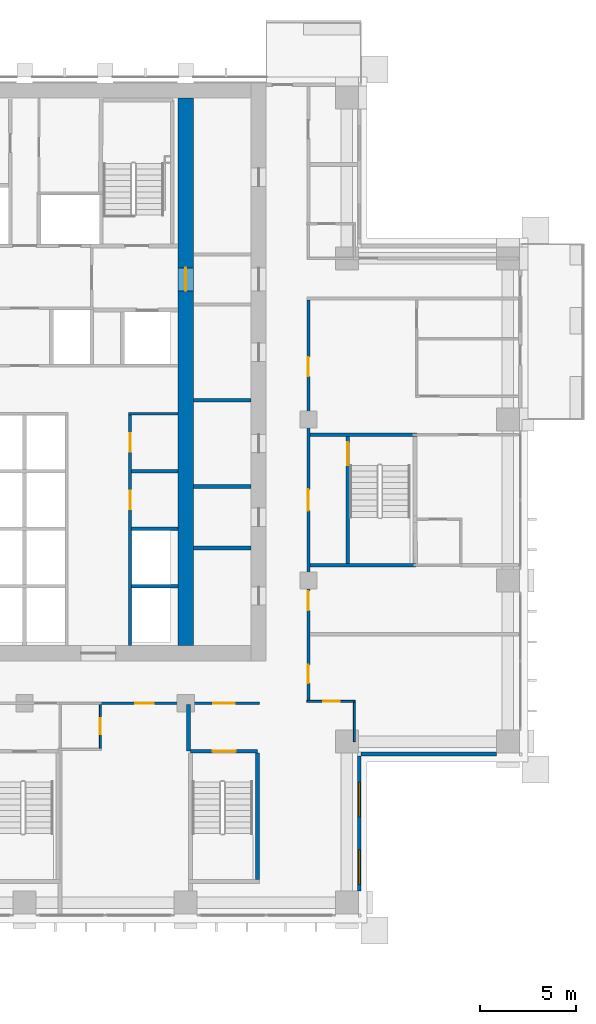
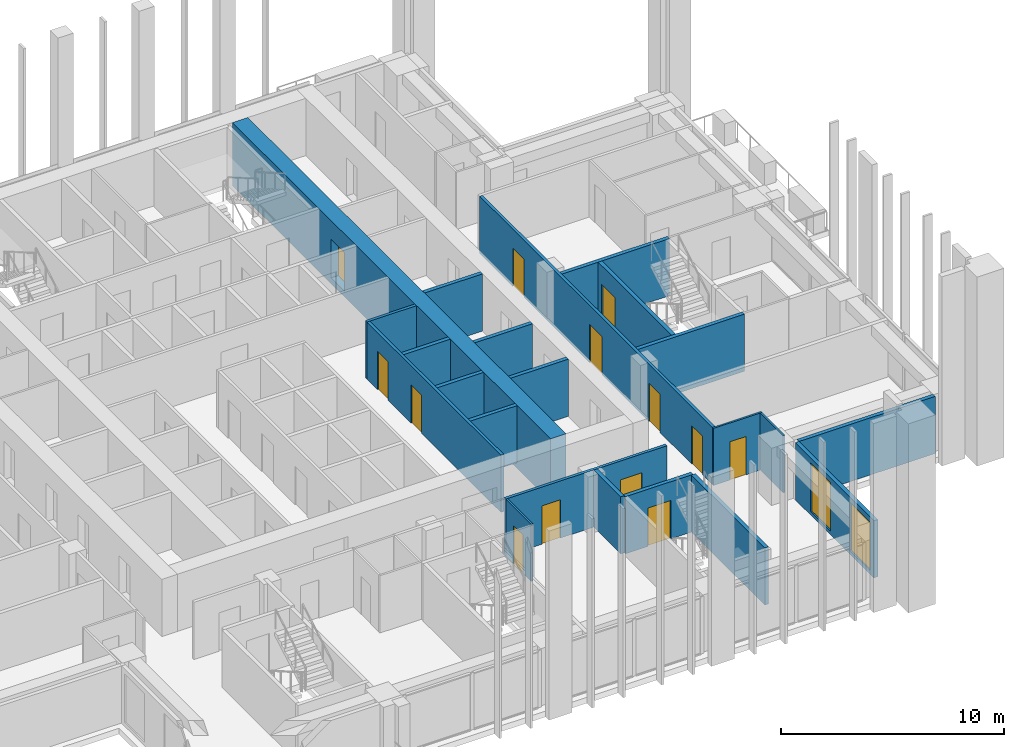
# One storey, part 9 of 18: 22 walls, 13 doors, 2 windows, 15 openings.
"""IFC4 building model written with IfcOpenShell, lengths in metres."""

from ifc_helpers import new_model, si_unit, direction, frame, frame_2d, origin, place, context, subcontext, project, spatial, rectangle, extrude, material, layer, layer_set, type_object, element, fill, save


model = new_model("IFC4")

# Units and contexts
model_context = context("Model", 3, precision=1e-05, world=origin(), true_north=direction((0.0, 1.0)))
body_context = subcontext(model_context, "Body", "Model", "MODEL_VIEW")
ifc_project = project(units=[si_unit("LENGTHUNIT", "METRE"), si_unit("AREAUNIT", "SQUARE_METRE"), si_unit("VOLUMEUNIT", "CUBIC_METRE"), si_unit("PLANEANGLEUNIT", "RADIAN"), si_unit("MASSUNIT", "GRAM", prefix="KILO")], contexts=[model_context])

# Site, building, storey
site_placement = place(None, origin())
site = spatial("IfcSite", under=ifc_project, at=site_placement, CompositionType="ELEMENT")
building_placement = place(site_placement, origin())
building = spatial("IfcBuilding", under=site, at=building_placement, Name="Vermilion Ogive Tower", CompositionType="ELEMENT")
storey_placement = place(building_placement, frame((0.0, 0.0, 80.39990234375)))
storey = spatial("IfcBuildingStorey", under=building, at=storey_placement, Name="L19", CompositionType="ELEMENT", Elevation=80.39990234375)

# Wall, opening, door
ifc_material_1 = material(Name="Concrete B80", Category="concrete")
ifc_layer_1 = layer(ifc_material_1, 0.800048828125)
ifc_layer_set_1 = layer_set([ifc_layer_1], Name="Core wall 800 B80")
wall_type_1 = type_object("IfcWallType", Name="Core wall 800 B80", PredefinedType="SHEAR", material=ifc_layer_set_1)
wall_1_placement = place(storey_placement, frame((8.39990234375, -7.60009765625, -0.31982421875), z_axis=(0.0, 0.0, 1.0), x_axis=(0.0, 1.0, 0.0)))
wall_1 = element("IfcWall", 1, at=wall_1_placement, inside=storey, type_object=wall_type_1, Name="L19-CORE-WEB2", PredefinedType="SHEAR", context=body_context, shape_type="SweptSolid", body=[
    extrude(rectangle(XDim=28.550048828125, YDim=0.800048828125, at=frame_2d((14.27490234375, 0.0))), origin(), (0.0, 0.0, 1.0), 3.449951171875),
])
opening_1_placement = place(wall_1_placement, frame((18.5, 0.0, 0.320068359375)))
opening_1 = element("IfcOpeningElement", 2, at=opening_1_placement, cuts=wall_1, Name="Opening DAO007", PredefinedType="OPENING", context=body_context, shape_type="SweptSolid", body=[
    extrude(rectangle(XDim=1.199951171875, YDim=2.10009765625, at=frame_2d((0.60009765625, 1.050048828125))), frame((0.0, 0.409912109375, 0.0), z_axis=(0.0, -1.0, 0.0), x_axis=(1.0, 0.0, 0.0)), (0.0, 0.0, 1.0), 0.820068359375),
])
ifc_material_2 = material(Name="Timber door leaf", Category="wood")
door_type_1 = type_object("IfcDoorType", Name="Link door 1200 x 2100 FD60S", OperationType="SINGLE_SWING_LEFT", PredefinedType="DOOR", material=ifc_material_2)
door_1_placement = place(opening_1_placement, origin())
door_1 = element("IfcDoor", 3, at=door_1_placement, inside=storey, type_object=door_type_1, Name="L19-CKE-XW", OperationType="SINGLE_SWING_LEFT", OverallHeight=2.10009765625, OverallWidth=1.199951171875, PredefinedType="DOOR", context=body_context, shape_type="SweptSolid", body=[
    extrude(rectangle(XDim=1.199951171875, YDim=2.10009765625, at=frame_2d((0.60009765625, 1.050048828125))), frame((0.0, 0.02490234375, 0.0), z_axis=(0.0, -1.0, 0.0), x_axis=(1.0, 0.0, 0.0)), (0.0, 0.0, 1.0), 0.050048828125),
])
fill(opening_1, door_1)

ifc_material_3 = material(Name="Gypsum board partition on steel studs", Category="steel")
ifc_layer_2 = layer(ifc_material_3, 0.10009765625)
ifc_layer_set_2 = layer_set([ifc_layer_2], Name="Partition 100 bath")
wall_type_2 = type_object("IfcWallType", Name="Partition 100 bath", PredefinedType="PARTITIONING", material=ifc_layer_set_2)
wall_2_placement = place(storey_placement, frame((14.72509765625, -10.5, 0.0), z_axis=(0.0, 0.0, 1.0), x_axis=(1.0, 0.0, 0.0)))
wall_2 = element("IfcWall", 4, at=wall_2_placement, inside=storey, type_object=wall_type_2, Name="L19-W-W012", PredefinedType="PARTITIONING", context=body_context, shape_type="SweptSolid", body=[
    extrude(rectangle(XDim=2.52490234375, YDim=0.10009765625, at=frame_2d((1.262451171875, 0.0))), origin(), (0.0, 0.0, 1.0), 3.130126953125),
])
opening_2_placement = place(wall_2_placement, frame((0.849853515625, 0.0, 0.0)))
opening_2 = element("IfcOpeningElement", 5, at=opening_2_placement, cuts=wall_2, Name="Opening D2G1014", PredefinedType="OPENING", context=body_context, shape_type="SweptSolid", body=[
    extrude(rectangle(XDim=0.85009765625, YDim=2.10009765625, at=frame_2d((0.425048828125, 1.050048828125))), frame((0.0, 0.06005859375, 0.0), z_axis=(0.0, -1.0, 0.0), x_axis=(1.0, 0.0, 0.0)), (0.0, 0.0, 1.0), 0.1201171875),
])
ifc_material_4 = material(Name="Timber door leaf", Category="wood")
door_type_2 = type_object("IfcDoorType", Name="Bath door 850 x 2100 FD30", OperationType="SINGLE_SWING_LEFT", PredefinedType="DOOR", material=ifc_material_4)
door_2_placement = place(opening_2_placement, origin())
door_2 = element("IfcDoor", 6, at=door_2_placement, inside=storey, type_object=door_type_2, Name="L19-D-D014", OperationType="SINGLE_SWING_RIGHT", OverallHeight=2.10009765625, OverallWidth=0.85009765625, PredefinedType="DOOR", context=body_context, shape_type="SweptSolid", body=[
    extrude(rectangle(XDim=0.85009765625, YDim=2.10009765625, at=frame_2d((0.425048828125, 1.050048828125))), frame((0.0, 0.02490234375, 0.0), z_axis=(0.0, -1.0, 0.0), x_axis=(1.0, 0.0, 0.0)), (0.0, 0.0, 1.0), 0.050048828125),
])
fill(opening_2, door_2)

wall_3_placement = place(storey_placement, frame((3.949951171875, -12.949951171875, 0.0), z_axis=(0.0, 0.0, 1.0), x_axis=(0.0, 1.0, 0.0)))
wall_3 = element("IfcWall", 7, at=wall_3_placement, inside=storey, type_object=wall_type_2, Name="L19-W-W055", PredefinedType="PARTITIONING", context=body_context, shape_type="SweptSolid", body=[
    extrude(rectangle(XDim=2.27490234375, YDim=0.10009765625, at=frame_2d((1.137451171875, 0.0))), origin(), (0.0, 0.0, 1.0), 3.130126953125),
])
opening_3_placement = place(wall_3_placement, frame((0.724853515625, 0.0, 0.0)))
opening_3 = element("IfcOpeningElement", 8, at=opening_3_placement, cuts=wall_3, Name="Opening D2G1012", PredefinedType="OPENING", context=body_context, shape_type="SweptSolid", body=[
    extrude(rectangle(XDim=0.85009765625, YDim=2.10009765625, at=frame_2d((0.425048828125, 1.050048828125))), frame((0.0, 0.06005859375, 0.0), z_axis=(0.0, -1.0, 0.0), x_axis=(1.0, 0.0, 0.0)), (0.0, 0.0, 1.0), 0.1201171875),
])
door_3_placement = place(opening_3_placement, origin())
door_3 = element("IfcDoor", 9, at=door_3_placement, inside=storey, type_object=door_type_2, Name="L19-D-D012", OperationType="SINGLE_SWING_LEFT", OverallHeight=2.10009765625, OverallWidth=0.85009765625, PredefinedType="DOOR", context=body_context, shape_type="SweptSolid", body=[
    extrude(rectangle(XDim=0.85009765625, YDim=2.10009765625, at=frame_2d((0.425048828125, 1.050048828125))), frame((0.0, 0.02490234375, 0.0), z_axis=(0.0, -1.0, 0.0), x_axis=(1.0, 0.0, 0.0)), (0.0, 0.0, 1.0), 0.050048828125),
])
fill(opening_3, door_3)

# Wall
wall_4_placement = place(storey_placement, frame((17.199951171875, -12.60009765625, 0.0), z_axis=(0.0, 0.0, 1.0), x_axis=(0.0, 1.0, 0.0)))
element("IfcWall", 10, at=wall_4_placement, inside=storey, type_object=wall_type_2, Name="L19-W-W061", PredefinedType="PARTITIONING", context=body_context, shape_type="SweptSolid", body=[
    extrude(rectangle(XDim=2.050048828125, YDim=0.10009765625, at=frame_2d((1.02490234375, 0.0))), origin(), (0.0, 0.0, 1.0), 3.130126953125),
])

# Wall, openings, doors
ifc_material_5 = material(Name="Gypsum board partition on steel studs", Category="steel")
ifc_layer_3 = layer(ifc_material_5, 0.14990234375)
ifc_layer_set_3 = layer_set([ifc_layer_3], Name="Partition 150 corridor")
wall_type_3 = type_object("IfcWallType", Name="Partition 150 corridor", PredefinedType="PARTITIONING", material=ifc_layer_set_3)
wall_5_placement = place(storey_placement, frame((3.89990234375, -10.60009765625, 0.0), z_axis=(0.0, 0.0, 1.0), x_axis=(1.0, 0.0, 0.0)))
wall_5 = element("IfcWall", 11, at=wall_5_placement, inside=storey, type_object=wall_type_3, Name="L19-W-W011", PredefinedType="PARTITIONING", context=body_context, shape_type="SweptSolid", body=[
    extrude(rectangle(XDim=8.35009765625, YDim=0.14990234375, at=frame_2d((4.175048828125, 0.0))), origin(), (0.0, 0.0, 1.0), 3.130126953125),
])
opening_4_placement = place(wall_5_placement, frame((1.875, 0.0, 0.0)))
opening_4 = element("IfcOpeningElement", 12, at=opening_4_placement, cuts=wall_5, Name="Opening D2G1011", PredefinedType="OPENING", context=body_context, shape_type="SweptSolid", body=[
    extrude(rectangle(XDim=0.949951171875, YDim=2.10009765625, at=frame_2d((0.47509765625, 1.050048828125))), frame((0.0, 0.0849609375, 0.0), z_axis=(0.0, -1.0, 0.0), x_axis=(1.0, 0.0, 0.0)), (0.0, 0.0, 1.0), 0.169921875),
])
opening_5_placement = place(wall_5_placement, frame((5.9501953125, 0.0, 0.0)))
opening_5 = element("IfcOpeningElement", 13, at=opening_5_placement, cuts=wall_5, Name="Opening D2G1027", PredefinedType="OPENING", context=body_context, shape_type="SweptSolid", body=[
    extrude(rectangle(XDim=1.10009765625, YDim=2.10009765625, at=frame_2d((0.550048828125, 1.050048828125))), frame((0.0, 0.0849609375, 0.0), z_axis=(0.0, -1.0, 0.0), x_axis=(1.0, 0.0, 0.0)), (0.0, 0.0, 1.0), 0.169921875),
])
ifc_material_6 = material(Name="Timber door leaf", Category="wood")
door_type_3 = type_object("IfcDoorType", Name="Stair door 1100 x 2100 FD60S", OperationType="SINGLE_SWING_LEFT", PredefinedType="DOOR", material=ifc_material_6)
door_4_placement = place(opening_5_placement, origin())
door_4 = element("IfcDoor", 14, at=door_4_placement, inside=storey, type_object=door_type_3, Name="L19-D-D027", OperationType="SINGLE_SWING_LEFT", OverallHeight=2.10009765625, OverallWidth=1.10009765625, PredefinedType="DOOR", context=body_context, shape_type="SweptSolid", body=[
    extrude(rectangle(XDim=1.10009765625, YDim=2.10009765625, at=frame_2d((0.550048828125, 1.050048828125))), frame((0.0, 0.02490234375, 0.0), z_axis=(0.0, -1.0, 0.0), x_axis=(1.0, 0.0, 0.0)), (0.0, 0.0, 1.0), 0.050048828125),
])
fill(opening_5, door_4)
ifc_material_7 = material(Name="Timber door leaf", Category="wood")
door_type_4 = type_object("IfcDoorType", Name="Unit door 950 x 2100 FD30S", OperationType="SINGLE_SWING_LEFT", PredefinedType="DOOR", material=ifc_material_7)
door_5_placement = place(opening_4_placement, origin())
door_5 = element("IfcDoor", 15, at=door_5_placement, inside=storey, type_object=door_type_4, Name="L19-D-D011", OperationType="SINGLE_SWING_LEFT", OverallHeight=2.10009765625, OverallWidth=0.949951171875, PredefinedType="DOOR", context=body_context, shape_type="SweptSolid", body=[
    extrude(rectangle(XDim=0.949951171875, YDim=2.10009765625, at=frame_2d((0.47509765625, 1.050048828125))), frame((0.0, 0.02490234375, 0.0), z_axis=(0.0, -1.0, 0.0), x_axis=(1.0, 0.0, 0.0)), (0.0, 0.0, 1.0), 0.050048828125),
])
fill(opening_4, door_5)

wall_6_placement = place(storey_placement, frame((14.800048828125, -10.449951171875, 0.0), z_axis=(0.0, 0.0, 1.0), x_axis=(0.0, 1.0, 0.0)))
wall_6 = element("IfcWall", 16, at=wall_6_placement, inside=storey, type_object=wall_type_3, Name="L19-W-W057", PredefinedType="PARTITIONING", context=body_context, shape_type="SweptSolid", body=[
    extrude(rectangle(XDim=20.875, YDim=0.14990234375, at=frame_2d((10.4375, 0.0))), origin(), (0.0, 0.0, 1.0), 3.130126953125),
])
opening_6_placement = place(wall_6_placement, frame((0.89990234375, 0.0, 0.0)))
opening_6 = element("IfcOpeningElement", 17, at=opening_6_placement, cuts=wall_6, Name="Opening D2G1013", PredefinedType="OPENING", context=body_context, shape_type="SweptSolid", body=[
    extrude(rectangle(XDim=0.949951171875, YDim=2.10009765625, at=frame_2d((0.47509765625, 1.050048828125))), frame((0.0, 0.0849609375, 0.0), z_axis=(0.0, -1.0, 0.0), x_axis=(1.0, 0.0, 0.0)), (0.0, 0.0, 1.0), 0.169921875),
])
opening_7_placement = place(wall_6_placement, frame((16.89990234375, 0.0, 0.0)))
opening_7 = element("IfcOpeningElement", 18, at=opening_7_placement, cuts=wall_6, Name="Opening D2G1017", PredefinedType="OPENING", context=body_context, shape_type="SweptSolid", body=[
    extrude(rectangle(XDim=1.0, YDim=2.10009765625, at=frame_2d((0.5, 1.050048828125))), frame((0.0, 0.0849609375, 0.0), z_axis=(0.0, -1.0, 0.0), x_axis=(1.0, 0.0, 0.0)), (0.0, 0.0, 1.0), 0.169921875),
])
opening_8_placement = place(wall_6_placement, frame((9.89990234375, 0.0, 0.0)))
opening_8 = element("IfcOpeningElement", 19, at=opening_8_placement, cuts=wall_6, Name="Opening D2G1029", PredefinedType="OPENING", context=body_context, shape_type="SweptSolid", body=[
    extrude(rectangle(XDim=1.10009765625, YDim=2.10009765625, at=frame_2d((0.550048828125, 1.050048828125))), frame((0.0, 0.0849609375, 0.0), z_axis=(0.0, -1.0, 0.0), x_axis=(1.0, 0.0, 0.0)), (0.0, 0.0, 1.0), 0.169921875),
])
opening_9_placement = place(wall_6_placement, frame((4.699951171875, 0.0, 0.0)))
opening_9 = element("IfcOpeningElement", 20, at=opening_9_placement, cuts=wall_6, Name="Opening D2G1034", PredefinedType="OPENING", context=body_context, shape_type="SweptSolid", body=[
    extrude(rectangle(XDim=1.0, YDim=2.10009765625, at=frame_2d((0.5, 1.050048828125))), frame((0.0, 0.0849609375, 0.0), z_axis=(0.0, -1.0, 0.0), x_axis=(1.0, 0.0, 0.0)), (0.0, 0.0, 1.0), 0.169921875),
])
door_6_placement = place(opening_8_placement, origin())
door_6 = element("IfcDoor", 21, at=door_6_placement, inside=storey, type_object=door_type_3, Name="L19-D-D029", OperationType="SINGLE_SWING_LEFT", OverallHeight=2.10009765625, OverallWidth=1.10009765625, PredefinedType="DOOR", context=body_context, shape_type="SweptSolid", body=[
    extrude(rectangle(XDim=1.10009765625, YDim=2.10009765625, at=frame_2d((0.550048828125, 1.050048828125))), frame((0.0, 0.02490234375, 0.0), z_axis=(0.0, -1.0, 0.0), x_axis=(1.0, 0.0, 0.0)), (0.0, 0.0, 1.0), 0.050048828125),
])
fill(opening_8, door_6)
ifc_material_8 = material(Name="Timber door leaf", Category="wood")
door_type_5 = type_object("IfcDoorType", Name="Unit door 1000 x 2100 FD30S", OperationType="SINGLE_SWING_LEFT", PredefinedType="DOOR", material=ifc_material_8)
door_7_placement = place(opening_7_placement, origin())
door_7 = element("IfcDoor", 22, at=door_7_placement, inside=storey, type_object=door_type_5, Name="L19-D-D017", OperationType="SINGLE_SWING_RIGHT", OverallHeight=2.10009765625, OverallWidth=1.0, PredefinedType="DOOR", context=body_context, shape_type="SweptSolid", body=[
    extrude(rectangle(XDim=1.0, YDim=2.10009765625, at=frame_2d((0.5, 1.050048828125))), frame((0.0, 0.02490234375, 0.0), z_axis=(0.0, -1.0, 0.0), x_axis=(1.0, 0.0, 0.0)), (0.0, 0.0, 1.0), 0.050048828125),
])
fill(opening_7, door_7)
door_8_placement = place(opening_9_placement, origin())
door_8 = element("IfcDoor", 23, at=door_8_placement, inside=storey, type_object=door_type_5, Name="L19-D-D034", OperationType="SINGLE_SWING_RIGHT", OverallHeight=2.10009765625, OverallWidth=1.0, PredefinedType="DOOR", context=body_context, shape_type="SweptSolid", body=[
    extrude(rectangle(XDim=1.0, YDim=2.10009765625, at=frame_2d((0.5, 1.050048828125))), frame((0.0, 0.02490234375, 0.0), z_axis=(0.0, -1.0, 0.0), x_axis=(1.0, 0.0, 0.0)), (0.0, 0.0, 1.0), 0.050048828125),
])
fill(opening_9, door_8)
door_9_placement = place(opening_6_placement, origin())
door_9 = element("IfcDoor", 24, at=door_9_placement, inside=storey, type_object=door_type_4, Name="L19-D-D013", OperationType="SINGLE_SWING_RIGHT", OverallHeight=2.10009765625, OverallWidth=0.949951171875, PredefinedType="DOOR", context=body_context, shape_type="SweptSolid", body=[
    extrude(rectangle(XDim=0.949951171875, YDim=2.10009765625, at=frame_2d((0.47509765625, 1.050048828125))), frame((0.0, 0.02490234375, 0.0), z_axis=(0.0, -1.0, 0.0), x_axis=(1.0, 0.0, 0.0)), (0.0, 0.0, 1.0), 0.050048828125),
])
fill(opening_6, door_9)

# Wall
wall_7_placement = place(storey_placement, frame((5.425048828125, 4.5, 0.0), z_axis=(0.0, 0.0, 1.0), x_axis=(1.0, 0.0, 0.0)))
element("IfcWall", 25, at=wall_7_placement, inside=storey, type_object=wall_type_3, Name="L19-CK-W-W012", PredefinedType="PARTITIONING", context=body_context, shape_type="SweptSolid", body=[
    extrude(rectangle(XDim=2.573974609375, YDim=0.14990234375, at=frame_2d((1.287109375, 0.0))), origin(), (0.0, 0.0, 1.0), 3.130126953125),
])

# Wall, openings, doors
wall_8_placement = place(storey_placement, frame((5.5, -7.59912109375, 0.0), z_axis=(0.0, 0.0, 1.0), x_axis=(0.0, 1.0, 0.0)))
wall_8 = element("IfcWall", 26, at=wall_8_placement, inside=storey, type_object=wall_type_3, Name="L19-CK-W-W040", PredefinedType="PARTITIONING", context=body_context, shape_type="SweptSolid", body=[
    extrude(rectangle(XDim=12.024169921875, YDim=0.14990234375, at=frame_2d((6.01220703125, 0.0))), origin(), (0.0, 0.0, 1.0), 3.130126953125),
])
opening_10_placement = place(wall_8_placement, frame((7.1240234375, 0.0, 0.0)))
opening_10 = element("IfcOpeningElement", 27, at=opening_10_placement, cuts=wall_8, Name="Opening DAA143", PredefinedType="OPENING", context=body_context, shape_type="SweptSolid", body=[
    extrude(rectangle(XDim=0.949951171875, YDim=2.10009765625, at=frame_2d((0.47509765625, 1.050048828125))), frame((0.0, 0.0849609375, 0.0), z_axis=(0.0, -1.0, 0.0), x_axis=(1.0, 0.0, 0.0)), (0.0, 0.0, 1.0), 0.169921875),
])
opening_11_placement = place(wall_8_placement, frame((10.1240234375, 0.0, 0.0)))
opening_11 = element("IfcOpeningElement", 28, at=opening_11_placement, cuts=wall_8, Name="Opening DAA144", PredefinedType="OPENING", context=body_context, shape_type="SweptSolid", body=[
    extrude(rectangle(XDim=0.949951171875, YDim=2.10009765625, at=frame_2d((0.47509765625, 1.050048828125))), frame((0.0, 0.0849609375, 0.0), z_axis=(0.0, -1.0, 0.0), x_axis=(1.0, 0.0, 0.0)), (0.0, 0.0, 1.0), 0.169921875),
])
ifc_material_9 = material(Name="Timber door leaf", Category="wood")
door_type_6 = type_object("IfcDoorType", Name="Service door 950 x 2100 FD60", OperationType="SINGLE_SWING_LEFT", PredefinedType="DOOR", material=ifc_material_9)
door_10_placement = place(opening_10_placement, origin())
door_10 = element("IfcDoor", 29, at=door_10_placement, inside=storey, type_object=door_type_6, Name="L19-CK-D-D009", OperationType="SINGLE_SWING_RIGHT", OverallHeight=2.10009765625, OverallWidth=0.949951171875, PredefinedType="DOOR", context=body_context, shape_type="SweptSolid", body=[
    extrude(rectangle(XDim=0.949951171875, YDim=2.10009765625, at=frame_2d((0.47509765625, 1.050048828125))), frame((0.0, 0.02490234375, 0.0), z_axis=(0.0, -1.0, 0.0), x_axis=(1.0, 0.0, 0.0)), (0.0, 0.0, 1.0), 0.050048828125),
])
fill(opening_10, door_10)
door_11_placement = place(opening_11_placement, origin())
door_11 = element("IfcDoor", 30, at=door_11_placement, inside=storey, type_object=door_type_6, Name="L19-CK-D-D010", OperationType="SINGLE_SWING_RIGHT", OverallHeight=2.10009765625, OverallWidth=0.949951171875, PredefinedType="DOOR", context=body_context, shape_type="SweptSolid", body=[
    extrude(rectangle(XDim=0.949951171875, YDim=2.10009765625, at=frame_2d((0.47509765625, 1.050048828125))), frame((0.0, 0.02490234375, 0.0), z_axis=(0.0, -1.0, 0.0), x_axis=(1.0, 0.0, 0.0)), (0.0, 0.0, 1.0), 0.050048828125),
])
fill(opening_11, door_11)

# Walls
ifc_material_10 = material(Name="Gypsum board partition on steel studs", Category="steel")
ifc_layer_4 = layer(ifc_material_10, 0.199951171875)
ifc_layer_set_4 = layer_set([ifc_layer_4], Name="Partition 200 party")
wall_type_4 = type_object("IfcWallType", Name="Partition 200 party", PredefinedType="PARTITIONING", material=ifc_layer_set_4)
wall_9_placement = place(storey_placement, frame((8.550048828125, -13.10009765625, 0.0), z_axis=(0.0, 0.0, 1.0), x_axis=(0.0, 1.0, 0.0)))
element("IfcWall", 31, at=wall_9_placement, inside=storey, type_object=wall_type_4, Name="L19-W-W056", PredefinedType="PARTITIONING", context=body_context, shape_type="SweptSolid", body=[
    extrude(rectangle(XDim=2.425048828125, YDim=0.199951171875, at=frame_2d((1.21240234375, 0.0))), origin(), (0.0, 0.0, 1.0), 3.130126953125),
])
for number, where, z_axis, x_axis, name in (
    (32, (5.574951171875, -4.5, 0.0), (0.0, 0.0, 1.0), (1.0, 0.0, 0.0), "L19-CK-W-W003"),
    (33, (5.574951171875, -1.5, 0.0), (0.0, 0.0, 1.0), (1.0, 0.0, 0.0), "L19-CK-W-W006"),
    (34, (5.574951171875, 1.5, 0.0), (0.0, 0.0, 1.0), (1.0, 0.0, 0.0), "L19-CK-W-W009"),
):
    element("IfcWall", number, at=place(storey_placement, frame(where, z_axis=z_axis, x_axis=x_axis)), inside=storey, type_object=wall_type_4, Name=name, PredefinedType="PARTITIONING", context=body_context, shape_type="SweptSolid", body=[
        extrude(rectangle(XDim=2.424072265625, YDim=0.199951171875, at=frame_2d((1.2119140625, 0.0))), origin(), (0.0, 0.0, 1.0), 3.130126953125),
    ])
for number, where, z_axis, x_axis, name in (
    (35, (8.801025390625, -2.5, 0.0), (0.0, 0.0, 1.0), (1.0, 0.0, 0.0), "L19-CKE-W-W001"),
    (36, (8.801025390625, 0.699951171875, 0.0), (0.0, 0.0, 1.0), (1.0, 0.0, 0.0), "L19-CKE-W-W002"),
    (37, (8.801025390625, 5.199951171875, 0.0), (0.0, 0.0, 1.0), (1.0, 0.0, 0.0), "L19-CKE-W-W003"),
):
    element("IfcWall", number, at=place(storey_placement, frame(where, z_axis=z_axis, x_axis=x_axis)), inside=storey, type_object=wall_type_4, Name=name, PredefinedType="PARTITIONING", context=body_context, shape_type="SweptSolid", body=[
        extrude(rectangle(XDim=2.998046875, YDim=0.199951171875, at=frame_2d((1.4990234375, 0.0))), origin(), (0.0, 0.0, 1.0), 3.130126953125),
    ])

# Wall, opening, door
ifc_material_11 = material(Name="Concrete B60", Category="concrete")
ifc_layer_5 = layer(ifc_material_11, 0.199951171875)
ifc_layer_set_5 = layer_set([ifc_layer_5], Name="Stair shaft wall 200 Concrete B60")
wall_type_5 = type_object("IfcWallType", Name="Stair shaft wall 200 Concrete B60", PredefinedType="SOLIDWALL", material=ifc_layer_set_5)
wall_10_placement = place(storey_placement, frame((8.64990234375, -13.10009765625, 0.0), z_axis=(0.0, 0.0, 1.0), x_axis=(1.0, 0.0, 0.0)))
wall_10 = element("IfcWall", 38, at=wall_10_placement, inside=storey, type_object=wall_type_5, Name="L19-W-W004", PredefinedType="SOLIDWALL", context=body_context, shape_type="SweptSolid", body=[
    extrude(rectangle(XDim=3.5, YDim=0.199951171875, at=frame_2d((1.75, 0.0))), origin(), (0.0, 0.0, 1.0), 3.130126953125),
])
opening_12_placement = place(wall_10_placement, frame((1.150146484375, 0.0, 0.0)))
opening_12 = element("IfcOpeningElement", 39, at=opening_12_placement, cuts=wall_10, Name="Opening D2G1028", PredefinedType="OPENING", context=body_context, shape_type="SweptSolid", body=[
    extrude(rectangle(XDim=1.199951171875, YDim=2.10009765625, at=frame_2d((0.60009765625, 1.050048828125))), frame((0.0, 0.10986328125, 0.0), z_axis=(0.0, -1.0, 0.0), x_axis=(1.0, 0.0, 0.0)), (0.0, 0.0, 1.0), 0.219970703125),
])
ifc_material_12 = material(Name="Timber door leaf", Category="wood")
door_type_7 = type_object("IfcDoorType", Name="Stair door 1200 x 2100 FD60S", OperationType="SINGLE_SWING_LEFT", PredefinedType="DOOR", material=ifc_material_12)
door_12_placement = place(opening_12_placement, origin())
door_12 = element("IfcDoor", 40, at=door_12_placement, inside=storey, type_object=door_type_7, Name="L19-D-D028", OperationType="SINGLE_SWING_RIGHT", OverallHeight=2.10009765625, OverallWidth=1.199951171875, PredefinedType="DOOR", context=body_context, shape_type="SweptSolid", body=[
    extrude(rectangle(XDim=1.199951171875, YDim=2.10009765625, at=frame_2d((0.60009765625, 1.050048828125))), frame((0.0, 0.02490234375, 0.0), z_axis=(0.0, -1.0, 0.0), x_axis=(1.0, 0.0, 0.0)), (0.0, 0.0, 1.0), 0.050048828125),
])
fill(opening_12, door_12)

# Walls
wall_11_placement = place(storey_placement, frame((14.875, -3.39990234375, 0.0), z_axis=(0.0, 0.0, 1.0), x_axis=(1.0, 0.0, 0.0)))
element("IfcWall", 41, at=wall_11_placement, inside=storey, type_object=wall_type_5, Name="L19-W-W018", PredefinedType="SOLIDWALL", context=body_context, shape_type="SweptSolid", body=[
    extrude(rectangle(XDim=5.52490234375, YDim=0.199951171875, at=frame_2d((2.762451171875, 0.0))), origin(), (0.0, 0.0, 1.0), 3.130126953125),
])
wall_12_placement = place(storey_placement, frame((14.875, 3.39990234375, 0.0), z_axis=(0.0, 0.0, 1.0), x_axis=(1.0, 0.0, 0.0)))
element("IfcWall", 42, at=wall_12_placement, inside=storey, type_object=wall_type_5, Name="L19-W-W025", PredefinedType="SOLIDWALL", context=body_context, shape_type="SweptSolid", body=[
    extrude(rectangle(XDim=5.574951171875, YDim=0.199951171875, at=frame_2d((2.78759765625, 0.0))), origin(), (0.0, 0.0, 1.0), 3.130126953125),
])

# Wall, opening, door
wall_13_placement = place(storey_placement, frame((16.85009765625, -3.300048828125, 0.0), z_axis=(0.0, 0.0, 1.0), x_axis=(0.0, 1.0, 0.0)))
wall_13 = element("IfcWall", 43, at=wall_13_placement, inside=storey, type_object=wall_type_5, Name="L19-W-W060", PredefinedType="SOLIDWALL", context=body_context, shape_type="SweptSolid", body=[
    extrude(rectangle(XDim=6.60009765625, YDim=0.199951171875, at=frame_2d((3.300048828125, 0.0))), origin(), (0.0, 0.0, 1.0), 3.130126953125),
])
opening_13_placement = place(wall_13_placement, frame((5.10009765625, 0.0, 0.0)))
opening_13 = element("IfcOpeningElement", 44, at=opening_13_placement, cuts=wall_13, Name="Opening D2G1030", PredefinedType="OPENING", context=body_context, shape_type="SweptSolid", body=[
    extrude(rectangle(XDim=1.199951171875, YDim=2.10009765625, at=frame_2d((0.60009765625, 1.050048828125))), frame((0.0, 0.10986328125, 0.0), z_axis=(0.0, -1.0, 0.0), x_axis=(1.0, 0.0, 0.0)), (0.0, 0.0, 1.0), 0.219970703125),
])
door_13_placement = place(opening_13_placement, origin())
door_13 = element("IfcDoor", 45, at=door_13_placement, inside=storey, type_object=door_type_7, Name="L19-D-D030", OperationType="SINGLE_SWING_LEFT", OverallHeight=2.10009765625, OverallWidth=1.199951171875, PredefinedType="DOOR", context=body_context, shape_type="SweptSolid", body=[
    extrude(rectangle(XDim=1.199951171875, YDim=2.10009765625, at=frame_2d((0.60009765625, 1.050048828125))), frame((0.0, 0.02490234375, 0.0), z_axis=(0.0, -1.0, 0.0), x_axis=(1.0, 0.0, 0.0)), (0.0, 0.0, 1.0), 0.050048828125),
])
fill(opening_13, door_13)

# Wall
wall_14_placement = place(storey_placement, frame((12.14990234375, -19.800048828125, 0.0), z_axis=(0.0, 0.0, 1.0), x_axis=(0.0, 1.0, 0.0)))
element("IfcWall", 46, at=wall_14_placement, inside=storey, type_object=wall_type_5, Name="L19-SW-ST5-E1", PredefinedType="SOLIDWALL", context=body_context, shape_type="SweptSolid", body=[
    extrude(rectangle(XDim=6.60009765625, YDim=0.199951171875, at=frame_2d((3.300048828125, 0.0))), origin(), (0.0, 0.0, 1.0), 3.130126953125),
])

# Wall, openings, windows
ifc_material_13 = material(Name="Aluminium window wall framing", Category="aluminium")
ifc_layer_6 = layer(ifc_material_13, 0.199951171875)
ifc_layer_set_6 = layer_set([ifc_layer_6], Name="Window wall")
wall_type_6 = type_object("IfcWallType", Name="Window wall", PredefinedType="STANDARD", material=ifc_layer_set_6)
wall_15_placement = place(storey_placement, frame((17.449951171875, -20.39990234375, 0.0), z_axis=(0.0, 0.0, 1.0), x_axis=(0.0, 1.0, 0.0)))
wall_15 = element("IfcWall", 47, at=wall_15_placement, inside=storey, type_object=wall_type_6, Name="Window wall X11", PredefinedType="STANDARD", context=body_context, shape_type="SweptSolid", body=[
    extrude(rectangle(XDim=7.0498046875, YDim=0.199951171875, at=frame_2d((3.52490234375, 0.0))), origin(), (0.0, 0.0, 1.0), 3.130126953125),
])
opening_14_placement = place(wall_15_placement, frame((0.35009765625, 0.0, 0.199951171875)))
opening_14 = element("IfcOpeningElement", 48, at=opening_14_placement, cuts=wall_15, Name="Opening W1-X195", PredefinedType="OPENING", context=body_context, shape_type="SweptSolid", body=[
    extrude(rectangle(XDim=1.800048828125, YDim=2.64990234375, at=frame_2d((0.89990234375, 1.324951171875))), frame((0.0, 0.10986328125, 0.0), z_axis=(0.0, -1.0, 0.0), x_axis=(1.0, 0.0, 0.0)), (0.0, 0.0, 1.0), 0.219970703125),
])
opening_15_placement = place(wall_15_placement, frame((3.875, 0.0, 0.199951171875)))
opening_15 = element("IfcOpeningElement", 49, at=opening_15_placement, cuts=wall_15, Name="Opening W1-X196", PredefinedType="OPENING", context=body_context, shape_type="SweptSolid", body=[
    extrude(rectangle(XDim=1.800048828125, YDim=2.64990234375, at=frame_2d((0.89990234375, 1.324951171875))), frame((0.0, 0.10986328125, 0.0), z_axis=(0.0, -1.0, 0.0), x_axis=(1.0, 0.0, 0.0)), (0.0, 0.0, 1.0), 0.219970703125),
])
ifc_material_14 = material(Name="Aluminium framed double glazing", Category="aluminium")
window_type = type_object("IfcWindowType", Name="Guest window W1", PartitioningType="SINGLE_PANEL", PredefinedType="WINDOW", material=ifc_material_14)
window_1_placement = place(opening_14_placement, origin())
window_1 = element("IfcWindow", 50, at=window_1_placement, inside=storey, type_object=window_type, Name="Window X195", OverallHeight=2.64990234375, OverallWidth=1.800048828125, PartitioningType="SINGLE_PANEL", PredefinedType="WINDOW", context=body_context, shape_type="SweptSolid", body=[
    extrude(rectangle(XDim=1.800048828125, YDim=2.64990234375, at=frame_2d((0.89990234375, 1.324951171875))), frame((0.0, 0.030029296875, 0.0), z_axis=(0.0, -1.0, 0.0), x_axis=(1.0, 0.0, 0.0)), (0.0, 0.0, 1.0), 0.06005859375),
])
fill(opening_14, window_1)
window_2_placement = place(opening_15_placement, origin())
window_2 = element("IfcWindow", 51, at=window_2_placement, inside=storey, type_object=window_type, Name="Window X196", OverallHeight=2.64990234375, OverallWidth=1.800048828125, PartitioningType="SINGLE_PANEL", PredefinedType="WINDOW", context=body_context, shape_type="SweptSolid", body=[
    extrude(rectangle(XDim=1.800048828125, YDim=2.64990234375, at=frame_2d((0.89990234375, 1.324951171875))), frame((0.0, 0.030029296875, 0.0), z_axis=(0.0, -1.0, 0.0), x_axis=(1.0, 0.0, 0.0)), (0.0, 0.0, 1.0), 0.06005859375),
])
fill(opening_15, window_2)

# Wall
wall_16_placement = place(storey_placement, frame((17.550048828125, -13.25, 0.0), z_axis=(0.0, 0.0, 1.0), x_axis=(1.0, 0.0, 0.0)))
element("IfcWall", 52, at=wall_16_placement, inside=storey, type_object=wall_type_6, Name="Window wall X21", PredefinedType="STANDARD", context=body_context, shape_type="SweptSolid", body=[
    extrude(rectangle(XDim=7.050048828125, YDim=0.199951171875, at=frame_2d((3.52490234375, 0.0))), origin(), (0.0, 0.0, 1.0), 3.130126953125),
])

save(model, "model.ifc")
